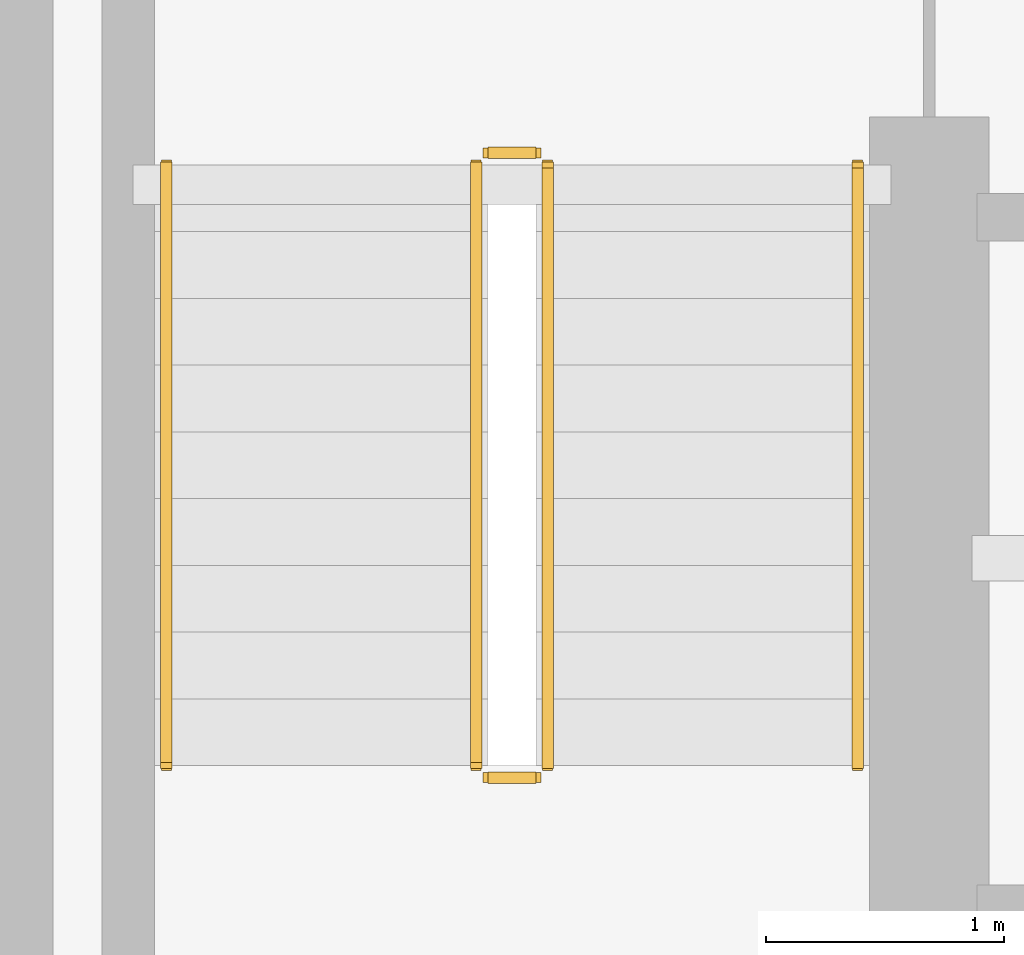
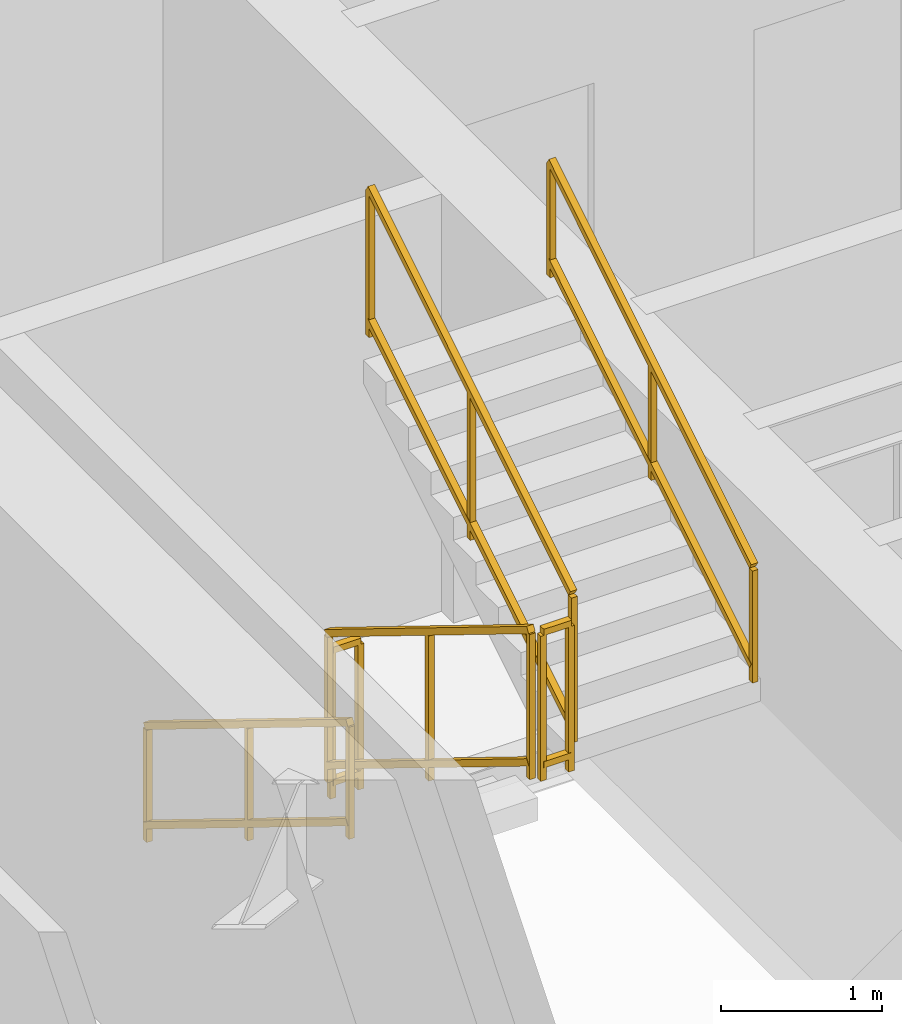
# One storey, part 27 of 30: 6 railings.
"""IFC4 building model written with IfcOpenShell, lengths in metres."""

from ifc_helpers import new_model, si_unit, direction, frame, origin, origin_2d, place, context, subcontext, project, spatial, rectangle, extrude, material, type_object, element, save


model = new_model("IFC4")

# Units and contexts
model_context = context("Model", 3, precision=1e-05, world=origin(), true_north=direction((0.0, 1.0)))
body_context = subcontext(model_context, "Body", "Model", "MODEL_VIEW")
ifc_project = project(units=[si_unit("LENGTHUNIT", "METRE"), si_unit("AREAUNIT", "SQUARE_METRE"), si_unit("VOLUMEUNIT", "CUBIC_METRE"), si_unit("PLANEANGLEUNIT", "RADIAN"), si_unit("MASSUNIT", "GRAM", prefix="KILO")], contexts=[model_context])

# Site, building, storey
site_placement = place(None, origin())
site = spatial("IfcSite", under=ifc_project, at=site_placement, CompositionType="ELEMENT")
building_placement = place(site_placement, origin())
building = spatial("IfcBuilding", under=site, at=building_placement, Name="Qarnah Convention Tower", CompositionType="ELEMENT")
storey_placement = place(building_placement, frame((0.0, 0.0, 61.5)))
storey = spatial("IfcBuildingStorey", under=building, at=storey_placement, Name="L15", CompositionType="ELEMENT", Elevation=61.5)

# Railings
ifc_material = material(Name="Structural steel S355JR", Category="steel")
railing_type_1 = type_object("IfcRailingType", Name="RL-STAIR-GUARD-1150", PredefinedType="GUARDRAIL", material=ifc_material)
railing_1_placement = place(storey_placement, frame((28.89990234375, 25.300048828125, 0.172607421875)))
element("IfcRailing", 1, at=railing_1_placement, inside=storey, type_object=railing_type_1, Name="L15 ST-1 stair guard 1", PredefinedType="GUARDRAIL", context=body_context, shape_type="SweptSolid", body=[
    extrude(rectangle(XDim=0.048095703125, YDim=0.048095703125, at=origin_2d()), frame((0.0, 0.0, 1.1259765625), z_axis=(0.0, -0.851400495292, 0.524516154772), x_axis=(1.0, 0.0, 0.0)), (0.0, 0.0, 1.0), 2.9599609375),
    extrude(rectangle(XDim=0.048095703125, YDim=0.048095703125, at=origin_2d()), frame((0.0, 0.0, 0.1201171875), z_axis=(0.0, -0.851400495292, 0.524516154772), x_axis=(1.0, 0.0, 0.0)), (0.0, 0.0, 1.0), 2.9599609375),
    extrude(rectangle(XDim=0.0419921875, YDim=0.0419921875, at=origin_2d()), origin(), (0.0, 0.0, 1.0), 1.101806640625),
    extrude(rectangle(XDim=0.0419921875, YDim=0.0419921875, at=origin_2d()), frame((0.0, -1.260009765625, 0.7763671875)), (0.0, 0.0, 1.0), 1.101806640625),
    extrude(rectangle(XDim=0.0419921875, YDim=0.0419921875, at=origin_2d()), frame((0.0, -2.52001953125, 1.552490234375)), (0.0, 0.0, 1.0), 1.101806640625),
])
railing_2_placement = place(storey_placement, frame((28.949951171875, 22.72998046875, 1.72509765625)))
element("IfcRailing", 2, at=railing_2_placement, inside=storey, type_object=railing_type_1, Name="L15 ST-1 stair guard 2", PredefinedType="GUARDRAIL", context=body_context, shape_type="SweptSolid", body=[
    extrude(rectangle(XDim=0.048095703125, YDim=0.048095703125, at=origin_2d()), frame((0.0, 0.0, 1.1259765625), z_axis=(1.0, 0.0, 0.0), x_axis=(0.0, 1.0, 0.0)), (0.0, 0.0, 1.0), 0.199951171875),
    extrude(rectangle(XDim=0.048095703125, YDim=0.048095703125, at=origin_2d()), frame((0.0, 0.0, 0.1201171875), z_axis=(1.0, 0.0, 0.0), x_axis=(0.0, 1.0, 0.0)), (0.0, 0.0, 1.0), 0.199951171875),
    extrude(rectangle(XDim=0.0419921875, YDim=0.0419921875, at=origin_2d()), origin(), (0.0, 0.0, 1.0), 1.101806640625),
    extrude(rectangle(XDim=0.0419921875, YDim=0.0419921875, at=origin_2d()), frame((0.199951171875, 0.0, 0.0)), (0.0, 0.0, 1.0), 1.101806640625),
])
railing_3_placement = place(storey_placement, frame((29.199951171875, 22.780029296875, 1.8974609375)))
element("IfcRailing", 3, at=railing_3_placement, inside=storey, type_object=railing_type_1, Name="L15 ST-1 stair guard 3", PredefinedType="GUARDRAIL", context=body_context, shape_type="SweptSolid", body=[
    extrude(rectangle(XDim=0.048095703125, YDim=0.048095703125, at=origin_2d()), frame((0.0, 0.0, 1.1259765625), z_axis=(0.0, 0.851400495292, 0.524516154772), x_axis=(-1.0, 0.0, 0.0)), (0.0, 0.0, 1.0), 2.9599609375),
    extrude(rectangle(XDim=0.048095703125, YDim=0.048095703125, at=origin_2d()), frame((0.0, 0.0, 0.1201171875), z_axis=(0.0, 0.851400495292, 0.524516154772), x_axis=(-1.0, 0.0, 0.0)), (0.0, 0.0, 1.0), 2.9599609375),
    extrude(rectangle(XDim=0.0419921875, YDim=0.0419921875, at=origin_2d()), origin(), (0.0, 0.0, 1.0), 1.101806640625),
    extrude(rectangle(XDim=0.0419921875, YDim=0.0419921875, at=origin_2d()), frame((0.0, 1.260009765625, 0.7763671875)), (0.0, 0.0, 1.0), 1.101806640625),
    extrude(rectangle(XDim=0.0419921875, YDim=0.0419921875, at=origin_2d()), frame((0.0, 2.52001953125, 1.552490234375)), (0.0, 0.0, 1.0), 1.101806640625),
])
railing_4_placement = place(storey_placement, frame((28.949951171875, 25.35009765625, 0.0)))
element("IfcRailing", 4, at=railing_4_placement, inside=storey, type_object=railing_type_1, Name="L15 ST-1 stair guard 4", PredefinedType="GUARDRAIL", context=body_context, shape_type="SweptSolid", body=[
    extrude(rectangle(XDim=0.048095703125, YDim=0.048095703125, at=origin_2d()), frame((0.0, 0.0, 1.1259765625), z_axis=(1.0, 0.0, 0.0), x_axis=(0.0, 1.0, 0.0)), (0.0, 0.0, 1.0), 0.199951171875),
    extrude(rectangle(XDim=0.048095703125, YDim=0.048095703125, at=origin_2d()), frame((0.0, 0.0, 0.1201171875), z_axis=(1.0, 0.0, 0.0), x_axis=(0.0, 1.0, 0.0)), (0.0, 0.0, 1.0), 0.199951171875),
    extrude(rectangle(XDim=0.0419921875, YDim=0.0419921875, at=origin_2d()), origin(), (0.0, 0.0, 1.0), 1.101806640625),
    extrude(rectangle(XDim=0.0419921875, YDim=0.0419921875, at=origin_2d()), frame((0.199951171875, 0.0, 0.0)), (0.0, 0.0, 1.0), 1.101806640625),
])
railing_type_2 = type_object("IfcRailingType", Name="RL-STAIR-HAND-900", PredefinedType="HANDRAIL", material=ifc_material)
railing_5_placement = place(storey_placement, frame((27.60009765625, 25.300048828125, 0.172607421875)))
element("IfcRailing", 5, at=railing_5_placement, inside=storey, type_object=railing_type_2, Name="L15 ST-1 stair handrail 1", PredefinedType="HANDRAIL", context=body_context, shape_type="SweptSolid", body=[
    extrude(rectangle(XDim=0.048095703125, YDim=0.048095703125, at=origin_2d()), frame((0.0, 0.0, 0.8759765625), z_axis=(0.0, -0.851400495292, 0.524516154772), x_axis=(1.0, 0.0, 0.0)), (0.0, 0.0, 1.0), 2.9599609375),
    extrude(rectangle(XDim=0.048095703125, YDim=0.048095703125, at=origin_2d()), frame((0.0, 0.0, 0.1201171875), z_axis=(0.0, -0.851400495292, 0.524516154772), x_axis=(1.0, 0.0, 0.0)), (0.0, 0.0, 1.0), 2.9599609375),
    extrude(rectangle(XDim=0.0419921875, YDim=0.0419921875, at=origin_2d()), origin(), (0.0, 0.0, 1.0), 0.851806640625),
    extrude(rectangle(XDim=0.0419921875, YDim=0.0419921875, at=origin_2d()), frame((0.0, -1.260009765625, 0.7763671875)), (0.0, 0.0, 1.0), 0.851806640625),
    extrude(rectangle(XDim=0.0419921875, YDim=0.0419921875, at=origin_2d()), frame((0.0, -2.52001953125, 1.552490234375)), (0.0, 0.0, 1.0), 0.851806640625),
])
railing_6_placement = place(storey_placement, frame((30.5, 22.780029296875, 1.8974609375)))
element("IfcRailing", 6, at=railing_6_placement, inside=storey, type_object=railing_type_2, Name="L15 ST-1 stair handrail 2", PredefinedType="HANDRAIL", context=body_context, shape_type="SweptSolid", body=[
    extrude(rectangle(XDim=0.048095703125, YDim=0.048095703125, at=origin_2d()), frame((0.0, 0.0, 0.8759765625), z_axis=(0.0, 0.851400495292, 0.524516154772), x_axis=(-1.0, 0.0, 0.0)), (0.0, 0.0, 1.0), 2.9599609375),
    extrude(rectangle(XDim=0.048095703125, YDim=0.048095703125, at=origin_2d()), frame((0.0, 0.0, 0.1201171875), z_axis=(0.0, 0.851400495292, 0.524516154772), x_axis=(-1.0, 0.0, 0.0)), (0.0, 0.0, 1.0), 2.9599609375),
    extrude(rectangle(XDim=0.0419921875, YDim=0.0419921875, at=origin_2d()), origin(), (0.0, 0.0, 1.0), 0.851806640625),
    extrude(rectangle(XDim=0.0419921875, YDim=0.0419921875, at=origin_2d()), frame((0.0, 1.260009765625, 0.7763671875)), (0.0, 0.0, 1.0), 0.851806640625),
    extrude(rectangle(XDim=0.0419921875, YDim=0.0419921875, at=origin_2d()), frame((0.0, 2.52001953125, 1.552490234375)), (0.0, 0.0, 1.0), 0.851806640625),
])

save(model, "model.ifc")
